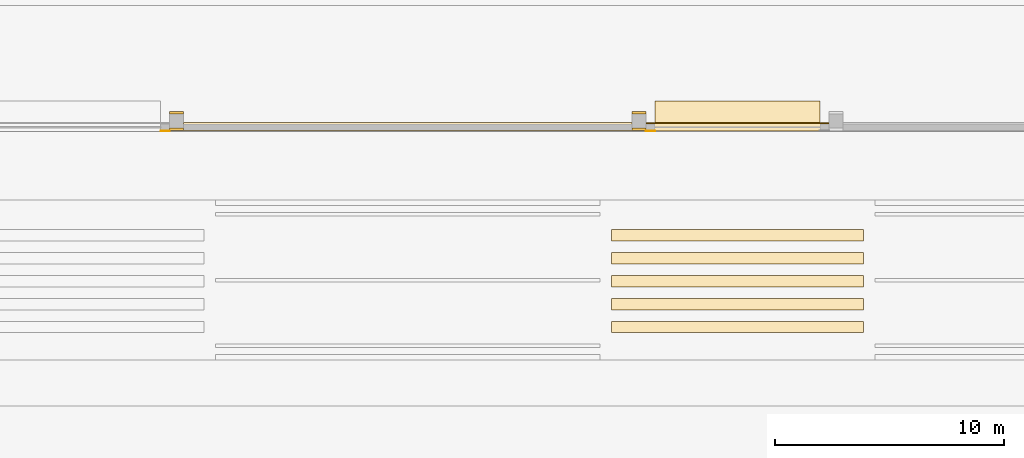
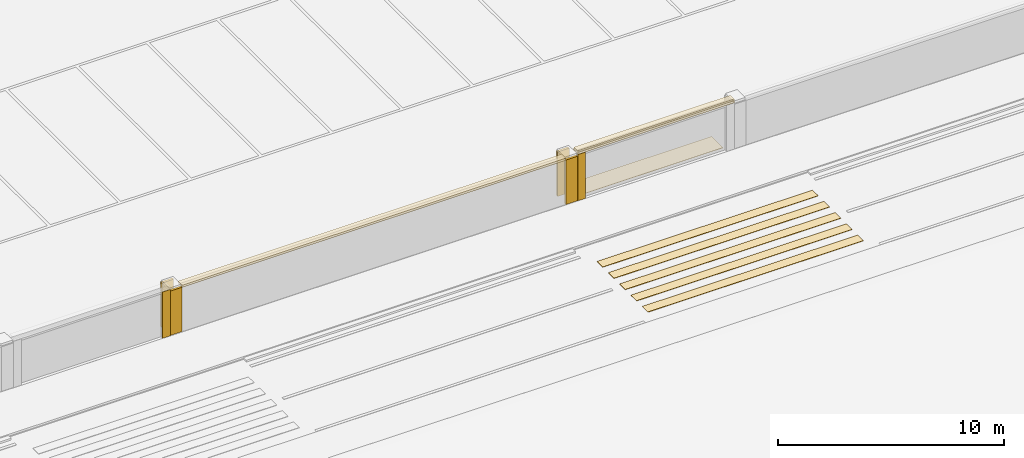
# One storey, part 128 of 148: 15 coverings.
"""IFC4 building model written with IfcOpenShell, lengths in metres."""

from ifc_helpers import new_model, si_unit, direction, frame, origin, origin_2d, place, context, subcontext, project, spatial, polyline, rectangle, outline, extrude, material, layer, layer_set, type_object, element, save


model = new_model("IFC4")

# Units and contexts
model_context = context("Model", 3, precision=1e-05, world=origin(), true_north=direction((0.0, 1.0)))
body_context = subcontext(model_context, "Body", "Model", "MODEL_VIEW")
ifc_project = project(units=[si_unit("LENGTHUNIT", "METRE"), si_unit("AREAUNIT", "SQUARE_METRE"), si_unit("VOLUMEUNIT", "CUBIC_METRE"), si_unit("PLANEANGLEUNIT", "RADIAN"), si_unit("MASSUNIT", "GRAM", prefix="KILO")], contexts=[model_context])

# Site, building, storey
site_placement = place(None, origin())
site = spatial("IfcSite", under=ifc_project, at=site_placement, CompositionType="ELEMENT")
building_placement = place(site_placement, origin())
building = spatial("IfcBuilding", under=site, at=building_placement, Name="Kupolbacken Congress Centre", CompositionType="ELEMENT")
storey_placement = place(building_placement, origin())
storey = spatial("IfcBuildingStorey", under=building, at=storey_placement, Name="L00", CompositionType="ELEMENT", Elevation=0.0)

# Coverings
ifc_material_1 = material(Name="Limestone cladding", Category="masonry")
ifc_layer_1 = layer(ifc_material_1, 0.1201171875)
ifc_layer_set_1 = layer_set([ifc_layer_1], Name="Limestone cladding")
covering_type_1 = type_object("IfcCoveringType", Name="CV1 limestone cladding band 120", PredefinedType="CLADDING", material=ifc_layer_set_1)
covering_1_placement = place(storey_placement, origin())
element("IfcCovering", 1, at=covering_1_placement, inside=storey, type_object=covering_type_1, Name="Gate pier limestone facing", PredefinedType="CLADDING", context=body_context, shape_type="SweptSolid", body=[
    extrude(outline(polyline([(126.39990234375, 0.02490234375), (126.39990234375, 0.14501953125), (127.0, 0.14501953125), (127.0, 0.02490234375), (126.39990234375, 0.02490234375)])), origin(), (0.0, 0.0, 1.0), 2.39990234375),
])
covering_2_placement = place(storey_placement, origin())
element("IfcCovering", 2, at=covering_2_placement, inside=storey, type_object=covering_type_1, Name="Gate pier limestone facing", PredefinedType="CLADDING", context=body_context, shape_type="SweptSolid", body=[
    extrude(outline(polyline([(126.39990234375, 0.7451171875), (126.39990234375, 0.864990234375), (127.0, 0.864990234375), (127.0, 0.7451171875), (126.39990234375, 0.7451171875)])), origin(), (0.0, 0.0, 1.0), 2.39990234375),
])
covering_3_placement = place(storey_placement, origin())
element("IfcCovering", 3, at=covering_3_placement, inside=storey, type_object=covering_type_1, Name="Gate pier limestone facing", PredefinedType="CLADDING", context=body_context, shape_type="SweptSolid", body=[
    extrude(outline(polyline([(146.60009765625, 0.02490234375), (146.60009765625, 0.14501953125), (147.199951171875, 0.14501953125), (147.199951171875, 0.02490234375), (146.60009765625, 0.02490234375)])), origin(), (0.0, 0.0, 1.0), 2.39990234375),
])
covering_4_placement = place(storey_placement, origin())
element("IfcCovering", 4, at=covering_4_placement, inside=storey, type_object=covering_type_1, Name="Gate pier limestone facing", PredefinedType="CLADDING", context=body_context, shape_type="SweptSolid", body=[
    extrude(outline(polyline([(146.60009765625, 0.7451171875), (146.60009765625, 0.864990234375), (147.199951171875, 0.864990234375), (147.199951171875, 0.7451171875), (146.60009765625, 0.7451171875)])), origin(), (0.0, 0.0, 1.0), 2.39990234375),
])
covering_5_placement = place(storey_placement, frame((0.0, 0.0, 2.39990234375)))
element("IfcCovering", 5, at=covering_5_placement, inside=storey, type_object=covering_type_1, Name="Limestone coping on boundary wall", PredefinedType="CLADDING", context=body_context, shape_type="SweptSolid", body=[
    extrude(outline(polyline([(127.0, 0.375), (146.60009765625, 0.375), (146.60009765625, 0.0009765625), (127.0, 0.0009765625), (127.0, 0.375)])), origin(), (0.0, 0.0, 1.0), 0.1201171875),
])
covering_6_placement = place(storey_placement, frame((0.0, 0.0, 2.5)))
element("IfcCovering", 6, at=covering_6_placement, inside=storey, type_object=covering_type_1, Name="Limestone coping on boundary wall", PredefinedType="CLADDING", context=body_context, shape_type="SweptSolid", body=[
    extrude(outline(polyline([(147.199951171875, 0.375), (155.199951171875, 0.375), (155.199951171875, 0.0009765625), (147.199951171875, 0.0009765625), (147.199951171875, 0.375)])), origin(), (0.0, 0.0, 1.0), 0.1201171875),
])
covering_7_placement = place(storey_placement, frame((151.199951171875, 0.175048828125, 2.5), z_axis=(0.0, 0.0, 1.0), x_axis=(1.0, 0.0, 0.0)))
element("IfcCovering", 7, at=covering_7_placement, inside=storey, type_object=covering_type_1, Name="E/portal/YG2/cap", PredefinedType="CLADDING", context=body_context, shape_type="SweptSolid", body=[
    extrude(rectangle(XDim=8.0, YDim=0.340087890625, at=origin_2d()), origin(), (0.0, 0.0, 1.0), 0.199951171875),
])
ifc_material_2 = material(Name="Limestone cladding", Category="masonry")
ifc_layer_2 = layer(ifc_material_2, 0.35009765625)
ifc_layer_set_2 = layer_set([ifc_layer_2], Name="Limestone cladding")
covering_type_2 = type_object("IfcCoveringType", Name="CV3 limestone pilaster strip 350", PredefinedType="CLADDING", material=ifc_layer_set_2)
for number, where, z_axis, x_axis, name in (
    (8, (126.199951171875, 0.014892578125, 0.0), (0.0, 0.0, 1.0), (1.0, 0.0, 0.0), "E/portal/YG1/stripE"),
    (9, (147.39990234375, 0.014892578125, 0.0), (0.0, 0.0, 1.0), (1.0, 0.0, 0.0), "E/portal/YG2/stripW"),
):
    element("IfcCovering", number, at=place(storey_placement, frame(where, z_axis=z_axis, x_axis=x_axis)), inside=storey, type_object=covering_type_2, Name=name, PredefinedType="CLADDING", context=body_context, shape_type="SweptSolid", body=[
        extrude(rectangle(XDim=0.39990234375, YDim=0.02001953125, at=origin_2d()), origin(), (0.0, 0.0, 1.0), 2.5),
    ])
ifc_material_3 = material(Name="Limestone cladding", Category="masonry")
ifc_layer_3 = layer(ifc_material_3, 0.02001953125)
ifc_layer_set_3 = layer_set([ifc_layer_3], Name="Limestone cladding")
covering_type_3 = type_object("IfcCoveringType", Name="GF1 limestone paving 20", PredefinedType="FLOORING", material=ifc_layer_set_3)
covering_8_placement = place(storey_placement, frame((0.0, 0.0, -0.14990234375)))
element("IfcCovering", 10, at=covering_8_placement, inside=storey, type_object=covering_type_3, Name="Street crossing marking", PredefinedType="FLOORING", context=body_context, shape_type="SweptSolid", body=[
    extrude(outline(polyline([(145.699951171875, -8.800048828125), (145.699951171875, -8.300048828125), (156.699951171875, -8.300048828125), (156.699951171875, -8.800048828125), (145.699951171875, -8.800048828125)])), origin(), (0.0, 0.0, 1.0), 0.02001953125),
])
covering_9_placement = place(storey_placement, frame((0.0, 0.0, -0.14990234375)))
element("IfcCovering", 11, at=covering_9_placement, inside=storey, type_object=covering_type_3, Name="Street crossing marking", PredefinedType="FLOORING", context=body_context, shape_type="SweptSolid", body=[
    extrude(outline(polyline([(145.699951171875, -7.300048828125), (156.699951171875, -7.300048828125), (156.699951171875, -7.800048828125), (145.699951171875, -7.800048828125), (145.699951171875, -7.300048828125)])), origin(), (0.0, 0.0, 1.0), 0.02001953125),
])
covering_10_placement = place(storey_placement, frame((0.0, 0.0, -0.14990234375)))
element("IfcCovering", 12, at=covering_10_placement, inside=storey, type_object=covering_type_3, Name="Street crossing marking", PredefinedType="FLOORING", context=body_context, shape_type="SweptSolid", body=[
    extrude(outline(polyline([(145.699951171875, -6.800048828125), (145.699951171875, -6.300048828125), (156.699951171875, -6.300048828125), (156.699951171875, -6.800048828125), (145.699951171875, -6.800048828125)])), origin(), (0.0, 0.0, 1.0), 0.02001953125),
])
covering_11_placement = place(storey_placement, frame((0.0, 0.0, -0.14990234375)))
element("IfcCovering", 13, at=covering_11_placement, inside=storey, type_object=covering_type_3, Name="Street crossing marking", PredefinedType="FLOORING", context=body_context, shape_type="SweptSolid", body=[
    extrude(outline(polyline([(145.699951171875, -5.800048828125), (145.699951171875, -5.300048828125), (156.699951171875, -5.300048828125), (156.699951171875, -5.800048828125), (145.699951171875, -5.800048828125)])), origin(), (0.0, 0.0, 1.0), 0.02001953125),
])
covering_12_placement = place(storey_placement, frame((0.0, 0.0, -0.14990234375)))
element("IfcCovering", 14, at=covering_12_placement, inside=storey, type_object=covering_type_3, Name="Street crossing marking", PredefinedType="FLOORING", context=body_context, shape_type="SweptSolid", body=[
    extrude(outline(polyline([(145.699951171875, -4.300048828125), (156.699951171875, -4.300048828125), (156.699951171875, -4.800048828125), (145.699951171875, -4.800048828125), (145.699951171875, -4.300048828125)])), origin(), (0.0, 0.0, 1.0), 0.02001953125),
])
covering_13_placement = place(storey_placement, frame((151.199951171875, 0.824951171875, 0.0), z_axis=(0.0, 0.0, 1.0), x_axis=(1.0, 0.0, 0.0)))
element("IfcCovering", 15, at=covering_13_placement, inside=storey, type_object=covering_type_3, Name="E/portal/YG2/threshold1", PredefinedType="FLOORING", context=body_context, shape_type="SweptSolid", body=[
    extrude(rectangle(XDim=7.199951171875, YDim=1.0, at=origin_2d()), origin(), (0.0, 0.0, 1.0), 0.02001953125),
])

save(model, "model.ifc")
